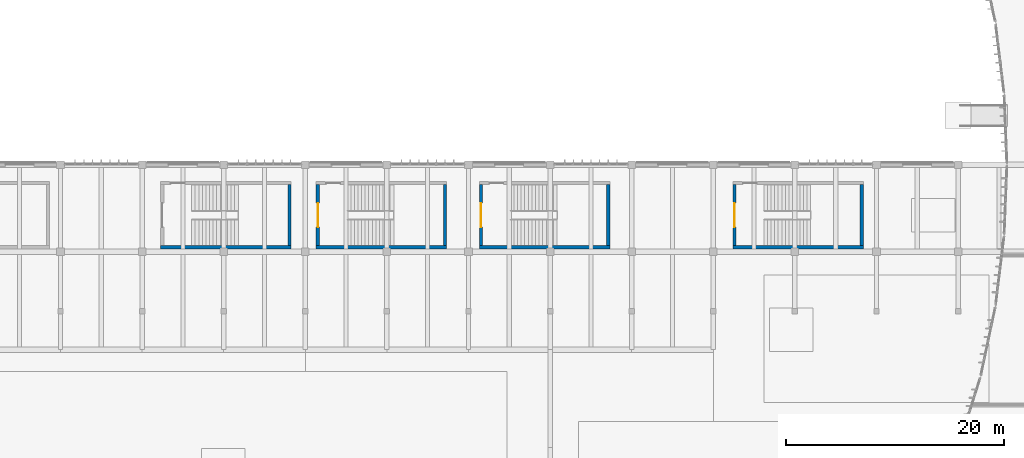
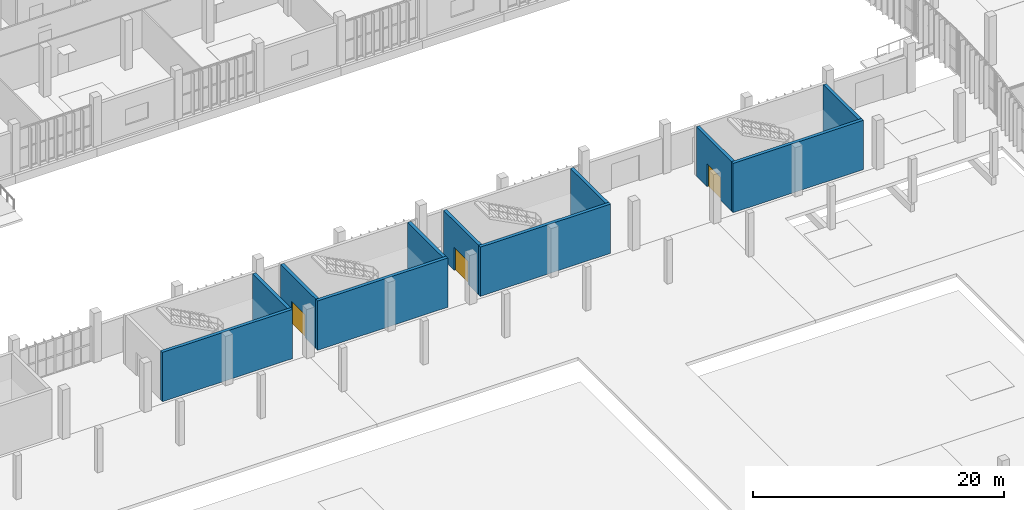
# One storey, part 45 of 72: 11 walls, 3 doors, 3 openings.
"""IFC4 building model written with IfcOpenShell, lengths in metres."""

from ifc_helpers import new_model, si_unit, direction, frame, frame_2d, origin, place, context, subcontext, project, spatial, rectangle, extrude, material, layer, layer_set, type_object, element, fill, save


model = new_model("IFC4")

# Units and contexts
model_context = context("Model", 3, precision=1e-05, world=origin(), true_north=direction((0.0, 1.0)))
body_context = subcontext(model_context, "Body", "Model", "MODEL_VIEW")
ifc_project = project(units=[si_unit("LENGTHUNIT", "METRE"), si_unit("AREAUNIT", "SQUARE_METRE"), si_unit("VOLUMEUNIT", "CUBIC_METRE"), si_unit("PLANEANGLEUNIT", "RADIAN"), si_unit("MASSUNIT", "GRAM", prefix="KILO")], contexts=[model_context])

# Site, building, storey
site_placement = place(None, origin())
site = spatial("IfcSite", under=ifc_project, at=site_placement, CompositionType="ELEMENT")
building_placement = place(site_placement, origin())
building = spatial("IfcBuilding", under=site, at=building_placement, Name="Vourika Railside Aquatics Centre", CompositionType="ELEMENT")
storey_placement = place(building_placement, origin())
storey = spatial("IfcBuildingStorey", under=building, at=storey_placement, Name="L00", CompositionType="ELEMENT", Elevation=0.0)

# Walls
ifc_material_1 = material(Name="Concrete C40/50", Category="concrete")
ifc_layer = layer(ifc_material_1, 0.300048828125, Name="WL-CORE")
ifc_layer_set = layer_set([ifc_layer], Name="Concrete C40/50")
wall_type = type_object("IfcWallType", Name="WL-CORE", PredefinedType="SHEAR", material=ifc_layer_set)
wall_1_placement = place(storey_placement, frame((60.199951171875, 58.39990234375, 0.0), z_axis=(0.0, 0.0, 1.0), x_axis=(1.0, 0.0, 0.0)))
element("IfcWall", 1, at=wall_1_placement, inside=storey, type_object=wall_type, Name="Grandstand Vomitory Exit Stair ST08 South Wall (L00)", PredefinedType="SHEAR", context=body_context, shape_type="SweptSolid", body=[
    extrude(rectangle(XDim=12.0, YDim=0.300048828125, at=frame_2d((6.0, 0.0))), origin(), (0.0, 0.0, 1.0), 4.800048828125),
])
wall_2_placement = place(storey_placement, frame((72.050048828125, 58.550048828125, 0.0), z_axis=(0.0, 0.0, 1.0), x_axis=(0.0, 1.0, 0.0)))
element("IfcWall", 2, at=wall_2_placement, inside=storey, type_object=wall_type, Name="Grandstand Vomitory Exit Stair ST08 East Wall (L00)", PredefinedType="SHEAR", context=body_context, shape_type="SweptSolid", body=[
    extrude(rectangle(XDim=5.599853515625, YDim=0.300048828125, at=frame_2d((2.7998046875, 0.0))), origin(), (0.0, 0.0, 1.0), 4.800048828125),
])
wall_3_placement = place(storey_placement, frame((89.5, 58.39990234375, 0.0), z_axis=(0.0, 0.0, 1.0), x_axis=(1.0, 0.0, 0.0)))
element("IfcWall", 3, at=wall_3_placement, inside=storey, type_object=wall_type, Name="Grandstand Vomitory Exit Stair ST09 South Wall (L00)", PredefinedType="SHEAR", context=body_context, shape_type="SweptSolid", body=[
    extrude(rectangle(XDim=12.0, YDim=0.300048828125, at=frame_2d((6.0, 0.0))), origin(), (0.0, 0.0, 1.0), 4.800048828125),
])

# Wall, opening, door
wall_4_placement = place(storey_placement, frame((89.64990234375, 64.14990234375, 0.0), z_axis=(0.0, 0.0, 1.0), x_axis=(0.0, -1.0, 0.0)))
wall_4 = element("IfcWall", 4, at=wall_4_placement, inside=storey, type_object=wall_type, Name="Grandstand Vomitory Exit Stair ST09 West Wall (L00)", PredefinedType="SHEAR", context=body_context, shape_type="SweptSolid", body=[
    extrude(rectangle(XDim=5.599853515625, YDim=0.300048828125, at=frame_2d((2.7998046875, 0.0))), origin(), (0.0, 0.0, 1.0), 4.800048828125),
])
opening_1_placement = place(wall_4_placement, frame((1.699951171875, 0.0, 0.0)))
opening_1 = element("IfcOpeningElement", 5, at=opening_1_placement, cuts=wall_4, Name="Opening DF04", PredefinedType="OPENING", context=body_context, shape_type="SweptSolid", body=[
    extrude(rectangle(XDim=2.199951171875, YDim=2.25, at=frame_2d((1.10009765625, 1.125))), frame((0.0, 0.16015625, 0.0), z_axis=(0.0, -1.0, 0.0), x_axis=(1.0, 0.0, 0.0)), (0.0, 0.0, 1.0), 0.320068359375),
])
ifc_material_2 = material(Name="Fire-rated vomitory concourse double door")
door_type = type_object("IfcDoorType", Name="DR-FD60D-220", OperationType="DOUBLE_DOOR_SINGLE_SWING", PredefinedType="DOOR", material=ifc_material_2)
door_1_placement = place(opening_1_placement, origin())
door_1 = element("IfcDoor", 6, at=door_1_placement, inside=storey, type_object=door_type, Name="Grandstand Vomitory Exit Stair ST09 Vomitory Portal Door (L00)", OperationType="DOUBLE_DOOR_SINGLE_SWING", OverallHeight=2.25, OverallWidth=2.199951171875, PredefinedType="DOOR", context=body_context, shape_type="SweptSolid", body=[
    extrude(rectangle(XDim=2.199951171875, YDim=2.25, at=frame_2d((1.10009765625, 1.125))), frame((0.0, 0.02490234375, 0.0), z_axis=(0.0, -1.0, 0.0), x_axis=(1.0, 0.0, 0.0)), (0.0, 0.0, 1.0), 0.050048828125),
])
fill(opening_1, door_1)

# Walls
wall_5_placement = place(storey_placement, frame((101.35009765625, 58.550048828125, 0.0), z_axis=(0.0, 0.0, 1.0), x_axis=(0.0, 1.0, 0.0)))
element("IfcWall", 7, at=wall_5_placement, inside=storey, type_object=wall_type, Name="Grandstand Vomitory Exit Stair ST09 East Wall (L00)", PredefinedType="SHEAR", context=body_context, shape_type="SweptSolid", body=[
    extrude(rectangle(XDim=5.599853515625, YDim=0.300048828125, at=frame_2d((2.7998046875, 0.0))), origin(), (0.0, 0.0, 1.0), 4.800048828125),
])
wall_6_placement = place(storey_placement, frame((112.800048828125, 58.39990234375, 0.0), z_axis=(0.0, 0.0, 1.0), x_axis=(1.0, 0.0, 0.0)))
element("IfcWall", 8, at=wall_6_placement, inside=storey, type_object=wall_type, Name="Grandstand Vomitory Exit Stair ST10 South Wall (L00)", PredefinedType="SHEAR", context=body_context, shape_type="SweptSolid", body=[
    extrude(rectangle(XDim=12.0, YDim=0.300048828125, at=frame_2d((6.0, 0.0))), origin(), (0.0, 0.0, 1.0), 4.800048828125),
])

# Wall, opening, door
wall_7_placement = place(storey_placement, frame((112.949951171875, 64.14990234375, 0.0), z_axis=(0.0, 0.0, 1.0), x_axis=(0.0, -1.0, 0.0)))
wall_7 = element("IfcWall", 9, at=wall_7_placement, inside=storey, type_object=wall_type, Name="Grandstand Vomitory Exit Stair ST10 West Wall (L00)", PredefinedType="SHEAR", context=body_context, shape_type="SweptSolid", body=[
    extrude(rectangle(XDim=5.599853515625, YDim=0.300048828125, at=frame_2d((2.7998046875, 0.0))), origin(), (0.0, 0.0, 1.0), 4.800048828125),
])
opening_2_placement = place(wall_7_placement, frame((1.699951171875, 0.0, 0.0)))
opening_2 = element("IfcOpeningElement", 10, at=opening_2_placement, cuts=wall_7, Name="Opening DF04", PredefinedType="OPENING", context=body_context, shape_type="SweptSolid", body=[
    extrude(rectangle(XDim=2.199951171875, YDim=2.25, at=frame_2d((1.10009765625, 1.125))), frame((0.0, 0.16015625, 0.0), z_axis=(0.0, -1.0, 0.0), x_axis=(1.0, 0.0, 0.0)), (0.0, 0.0, 1.0), 0.320068359375),
])
door_2_placement = place(opening_2_placement, origin())
door_2 = element("IfcDoor", 11, at=door_2_placement, inside=storey, type_object=door_type, Name="Grandstand Vomitory Exit Stair ST10 Vomitory Portal Door (L00)", OperationType="DOUBLE_DOOR_SINGLE_SWING", OverallHeight=2.25, OverallWidth=2.199951171875, PredefinedType="DOOR", context=body_context, shape_type="SweptSolid", body=[
    extrude(rectangle(XDim=2.199951171875, YDim=2.25, at=frame_2d((1.10009765625, 1.125))), frame((0.0, 0.02490234375, 0.0), z_axis=(0.0, -1.0, 0.0), x_axis=(1.0, 0.0, 0.0)), (0.0, 0.0, 1.0), 0.050048828125),
])
fill(opening_2, door_2)

# Walls
wall_8_placement = place(storey_placement, frame((124.64990234375, 58.550048828125, 0.0), z_axis=(0.0, 0.0, 1.0), x_axis=(0.0, 1.0, 0.0)))
element("IfcWall", 12, at=wall_8_placement, inside=storey, type_object=wall_type, Name="Grandstand Vomitory Exit Stair ST10 East Wall (L00)", PredefinedType="SHEAR", context=body_context, shape_type="SweptSolid", body=[
    extrude(rectangle(XDim=5.599853515625, YDim=0.300048828125, at=frame_2d((2.7998046875, 0.0))), origin(), (0.0, 0.0, 1.0), 4.800048828125),
])
wall_9_placement = place(storey_placement, frame((74.5, 58.39990234375, 0.0), z_axis=(0.0, 0.0, 1.0), x_axis=(1.0, 0.0, 0.0)))
element("IfcWall", 13, at=wall_9_placement, inside=storey, type_object=wall_type, Name="Grandstand Vomitory Exit Stair ST12 South Wall (L00)", PredefinedType="SHEAR", context=body_context, shape_type="SweptSolid", body=[
    extrude(rectangle(XDim=12.0, YDim=0.300048828125, at=frame_2d((6.0, 0.0))), origin(), (0.0, 0.0, 1.0), 4.800048828125),
])

# Wall, opening, door
wall_10_placement = place(storey_placement, frame((74.64990234375, 64.14990234375, 0.0), z_axis=(0.0, 0.0, 1.0), x_axis=(0.0, -1.0, 0.0)))
wall_10 = element("IfcWall", 14, at=wall_10_placement, inside=storey, type_object=wall_type, Name="Grandstand Vomitory Exit Stair ST12 West Wall (L00)", PredefinedType="SHEAR", context=body_context, shape_type="SweptSolid", body=[
    extrude(rectangle(XDim=5.599853515625, YDim=0.300048828125, at=frame_2d((2.7998046875, 0.0))), origin(), (0.0, 0.0, 1.0), 4.800048828125),
])
opening_3_placement = place(wall_10_placement, frame((1.699951171875, 0.0, 0.0)))
opening_3 = element("IfcOpeningElement", 15, at=opening_3_placement, cuts=wall_10, Name="Opening DF04", PredefinedType="OPENING", context=body_context, shape_type="SweptSolid", body=[
    extrude(rectangle(XDim=2.199951171875, YDim=2.25, at=frame_2d((1.10009765625, 1.125))), frame((0.0, 0.16015625, 0.0), z_axis=(0.0, -1.0, 0.0), x_axis=(1.0, 0.0, 0.0)), (0.0, 0.0, 1.0), 0.320068359375),
])
door_3_placement = place(opening_3_placement, origin())
door_3 = element("IfcDoor", 16, at=door_3_placement, inside=storey, type_object=door_type, Name="Grandstand Vomitory Exit Stair ST12 Vomitory Portal Door (L00)", OperationType="DOUBLE_DOOR_SINGLE_SWING", OverallHeight=2.25, OverallWidth=2.199951171875, PredefinedType="DOOR", context=body_context, shape_type="SweptSolid", body=[
    extrude(rectangle(XDim=2.199951171875, YDim=2.25, at=frame_2d((1.10009765625, 1.125))), frame((0.0, 0.02490234375, 0.0), z_axis=(0.0, -1.0, 0.0), x_axis=(1.0, 0.0, 0.0)), (0.0, 0.0, 1.0), 0.050048828125),
])
fill(opening_3, door_3)

# Wall
wall_11_placement = place(storey_placement, frame((86.35009765625, 58.550048828125, 0.0), z_axis=(0.0, 0.0, 1.0), x_axis=(0.0, 1.0, 0.0)))
element("IfcWall", 17, at=wall_11_placement, inside=storey, type_object=wall_type, Name="Grandstand Vomitory Exit Stair ST12 East Wall (L00)", PredefinedType="SHEAR", context=body_context, shape_type="SweptSolid", body=[
    extrude(rectangle(XDim=5.599853515625, YDim=0.300048828125, at=frame_2d((2.7998046875, 0.0))), origin(), (0.0, 0.0, 1.0), 4.800048828125),
])

save(model, "model.ifc")
